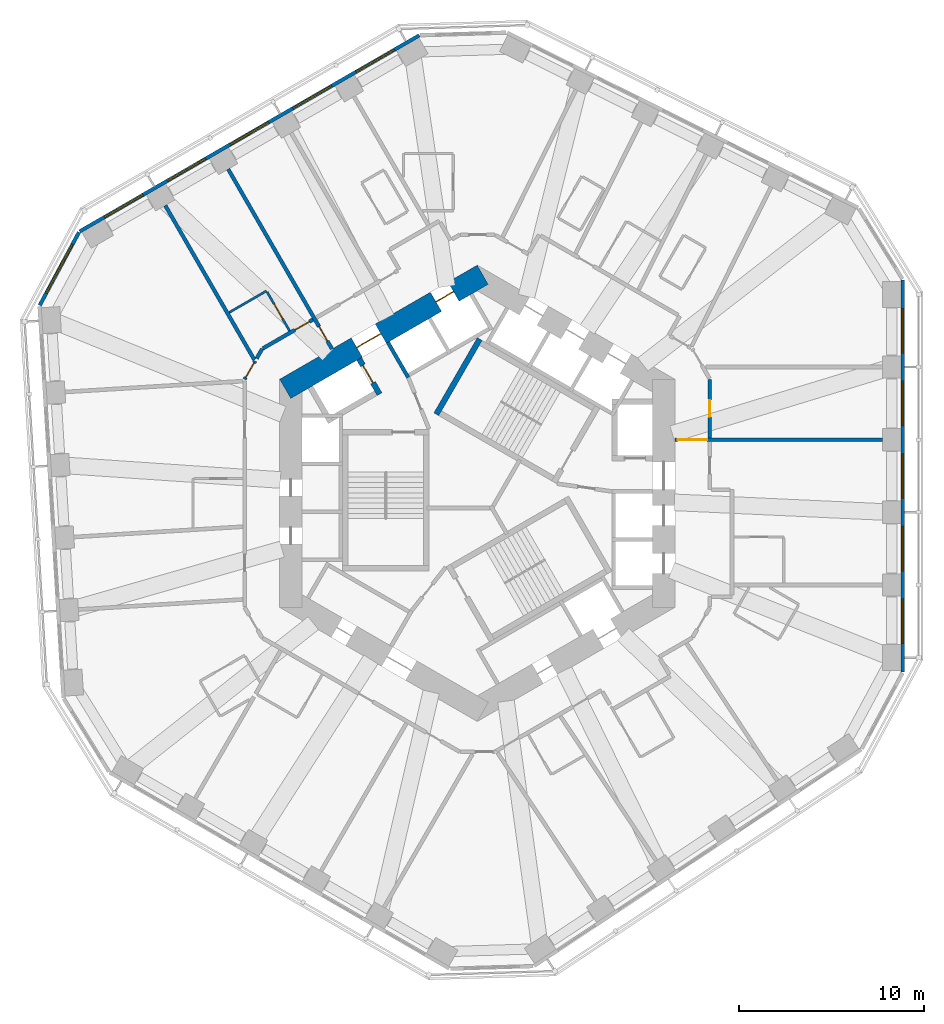
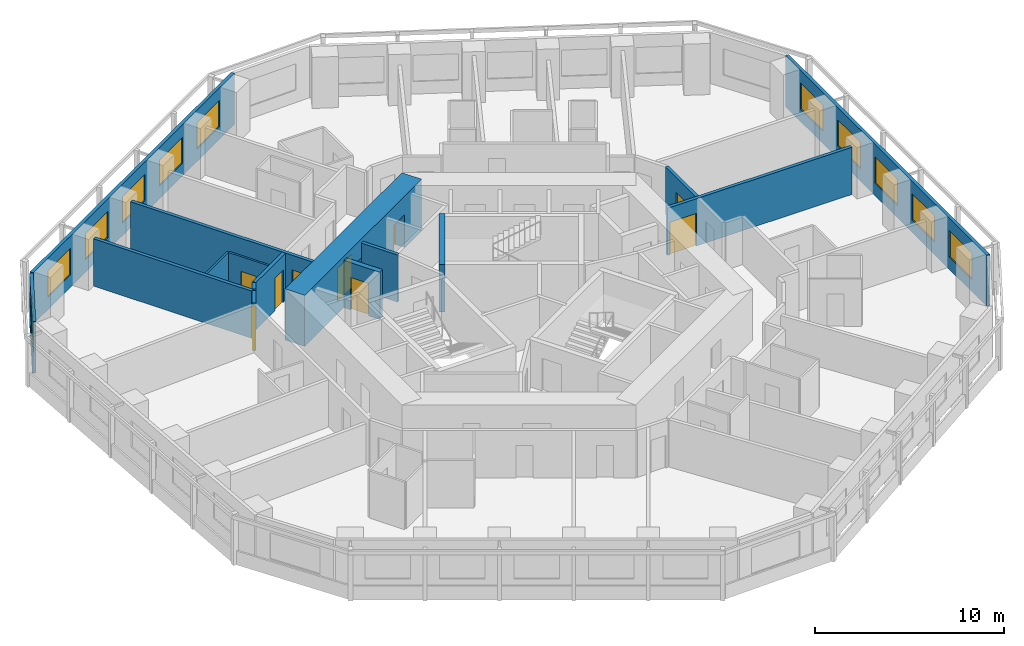
# One storey, part 7 of 12: 16 walls, 11 windows, 9 doors, 20 openings.
"""IFC4 building model written with IfcOpenShell, lengths in metres."""

from ifc_helpers import new_model, si_unit, direction, frame, frame_2d, origin, place, context, subcontext, project, spatial, rectangle, extrude, material, layer, layer_set, type_object, element, fill, save


model = new_model("IFC4")

# Units and contexts
model_context = context("Model", 3, precision=1e-05, world=origin(), true_north=direction((0.0, 1.0)))
body_context = subcontext(model_context, "Body", "Model", "MODEL_VIEW")
ifc_project = project(units=[si_unit("LENGTHUNIT", "METRE"), si_unit("AREAUNIT", "SQUARE_METRE"), si_unit("VOLUMEUNIT", "CUBIC_METRE"), si_unit("PLANEANGLEUNIT", "RADIAN"), si_unit("MASSUNIT", "GRAM", prefix="KILO")], contexts=[model_context])

# Site, building, storey
site_placement = place(None, origin())
site = spatial("IfcSite", under=ifc_project, at=site_placement, CompositionType="ELEMENT")
building_placement = place(site_placement, origin())
building = spatial("IfcBuilding", under=site, at=building_placement, Name="Vanh Sen Convention Tower", CompositionType="ELEMENT")
storey_placement = place(building_placement, frame((0.0, 0.0, 63.800048828125)))
storey = spatial("IfcBuildingStorey", under=building, at=storey_placement, Name="L13", CompositionType="ELEMENT", Elevation=63.800048828125)

# Wall
ifc_material_1 = material(Name="Moisture-resistant gypsum board on steel studs", Category="steel")
ifc_layer_1 = layer(ifc_material_1, 0.1201171875)
ifc_layer_set_1 = layer_set([ifc_layer_1], Name="Moisture-resistant gypsum board on steel studs")
wall_type_1 = type_object("IfcWallType", Name="Bathroom partition 120", PredefinedType="PARTITIONING", material=ifc_layer_set_1)
wall_1_placement = place(storey_placement, frame((-13.436279296875, 9.7939453125, 0.0), z_axis=(0.0, 0.0, 1.0), x_axis=(0.866053246676, 0.499951771596, 0.0)))
element("IfcWall", 1, at=wall_1_placement, inside=storey, type_object=wall_type_1, Name="Bathroom partition 120", PredefinedType="PARTITIONING", context=body_context, shape_type="SweptSolid", body=[
    extrude(rectangle(XDim=2.334716796875, YDim=0.1201171875, at=frame_2d((1.16748046875, 0.0))), origin(), (0.0, 0.0, 1.0), 3.050048828125),
])

# Wall, opening, door
wall_2_placement = place(storey_placement, frame((-11.384521484375, 10.9091796875, 0.0), z_axis=(0.0, 0.0, 1.0), x_axis=(0.500077547548, -0.865980627057, 0.0)))
wall_2 = element("IfcWall", 2, at=wall_2_placement, inside=storey, type_object=wall_type_1, Name="Bathroom partition 120", PredefinedType="PARTITIONING", context=body_context, shape_type="SweptSolid", body=[
    extrude(rectangle(XDim=2.43994140625, YDim=0.1201171875, at=frame_2d((1.219970703125, 0.0))), origin(), (0.0, 0.0, 1.0), 3.050048828125),
])
opening_1_placement = place(wall_2_placement, frame((0.77001953125, 0.0, 0.0)))
opening_1 = element("IfcOpeningElement", 3, at=opening_1_placement, cuts=wall_2, Name="Opening D13117", PredefinedType="OPENING", context=body_context, shape_type="SweptSolid", body=[
    extrude(rectangle(XDim=0.89990234375, YDim=2.10009765625, at=frame_2d((0.449951171875, 1.050048828125))), frame((0.0, 0.070068359375, 0.0), z_axis=(0.0, -1.0, 0.0), x_axis=(1.0, 0.0, 0.0)), (0.0, 0.0, 1.0), 0.14013671875),
])
ifc_material_2 = material(Name="Laminate door in steel frame", Category="steel")
door_type_1 = type_object("IfcDoorType", Name="En-suite door 900", OperationType="SINGLE_SWING_LEFT", PredefinedType="DOOR", material=ifc_material_2)
door_1_placement = place(opening_1_placement, origin())
door_1 = element("IfcDoor", 4, at=door_1_placement, inside=storey, type_object=door_type_1, Name="En-suite door D13117", OperationType="SINGLE_SWING_LEFT", OverallHeight=2.10009765625, OverallWidth=0.89990234375, PredefinedType="DOOR", context=body_context, shape_type="SweptSolid", body=[
    extrude(rectangle(XDim=0.89990234375, YDim=2.10009765625, at=frame_2d((0.449951171875, 1.050048828125))), frame((0.0, 0.02490234375, 0.0), z_axis=(0.0, -1.0, 0.0), x_axis=(1.0, 0.0, 0.0)), (0.0, 0.0, 1.0), 0.050048828125),
])
fill(opening_1, door_1)

# Wall, openings, doors
ifc_material_3 = material(Name="Concrete C80/95", Category="concrete")
ifc_layer_2 = layer(ifc_material_3, 1.199951171875)
ifc_layer_set_2 = layer_set([ifc_layer_2], Name="Concrete C80/95")
wall_type_2 = type_object("IfcWallType", Name="Core outer wall 1200 C80/95", PredefinedType="SHEAR", material=ifc_layer_set_2)
wall_3_placement = place(storey_placement, frame((0.300048828125, 11.835693359375, 0.0), z_axis=(0.0, 0.0, 1.0), x_axis=(-0.866021384402, -0.500006961711, 0.0)))
wall_3 = element("IfcWall", 5, at=wall_3_placement, inside=storey, type_object=wall_type_2, Name="Core wall face NW L13", PredefinedType="SHEAR", context=body_context, shape_type="SweptSolid", body=[
    extrude(rectangle(XDim=12.355224609375, YDim=1.199951171875, at=frame_2d((6.177734375, 0.0))), origin(), (0.0, 0.0, 1.0), 3.300048828125),
])
opening_2_placement = place(wall_3_placement, frame((6.377685546875, 0.0, 0.0)))
opening_2 = element("IfcOpeningElement", 6, at=opening_2_placement, cuts=wall_3, Name="Opening D13002", PredefinedType="OPENING", context=body_context, shape_type="SweptSolid", body=[
    extrude(rectangle(XDim=1.5, YDim=2.10009765625, at=frame_2d((0.75, 1.050048828125))), frame((0.0, 0.60986328125, 0.0), z_axis=(0.0, -1.0, 0.0), x_axis=(1.0, 0.0, 0.0)), (0.0, 0.0, 1.0), 1.219970703125),
])
opening_3_placement = place(wall_3_placement, frame((1.82763671875, 0.0, 0.0)))
opening_3 = element("IfcOpeningElement", 7, at=opening_3_placement, cuts=wall_3, Name="Opening LD-LR6", PredefinedType="OPENING", context=body_context, shape_type="SweptSolid", body=[
    extrude(rectangle(XDim=1.10009765625, YDim=2.10009765625, at=frame_2d((0.550048828125, 1.050048828125))), frame((0.0, 0.60986328125, 0.0), z_axis=(0.0, -1.0, 0.0), x_axis=(1.0, 0.0, 0.0)), (0.0, 0.0, 1.0), 1.219970703125),
])
ifc_material_4 = material(Name="Stainless steel", Category="steel")
door_type_2 = type_object("IfcDoorType", Name="Lift landing door 1100", OperationType="DOUBLE_DOOR_SLIDING", PredefinedType="DOOR", material=ifc_material_4)
door_2_placement = place(opening_3_placement, origin())
door_2 = element("IfcDoor", 8, at=door_2_placement, inside=storey, type_object=door_type_2, Name="Lift LR6 landing door LD-LR6", OperationType="DOUBLE_DOOR_SLIDING", OverallHeight=2.10009765625, OverallWidth=1.10009765625, PredefinedType="DOOR", context=body_context, shape_type="SweptSolid", body=[
    extrude(rectangle(XDim=1.10009765625, YDim=2.10009765625, at=frame_2d((0.550048828125, 1.050048828125))), frame((0.0, 0.02490234375, 0.0), z_axis=(0.0, -1.0, 0.0), x_axis=(1.0, 0.0, 0.0)), (0.0, 0.0, 1.0), 0.050048828125),
])
fill(opening_3, door_2)
ifc_material_5 = material(Name="Steel S355", Category="steel")
door_type_3 = type_object("IfcDoorType", Name="Stair lobby door 1500", OperationType="DOUBLE_DOOR_SINGLE_SWING", PredefinedType="DOOR", material=ifc_material_5)
door_3_placement = place(opening_2_placement, origin())
door_3 = element("IfcDoor", 9, at=door_3_placement, inside=storey, type_object=door_type_3, Name="Stair lobby door D13002", OperationType="DOUBLE_DOOR_SINGLE_SWING", OverallHeight=2.10009765625, OverallWidth=1.5, PredefinedType="DOOR", context=body_context, shape_type="SweptSolid", body=[
    extrude(rectangle(XDim=1.5, YDim=2.10009765625, at=frame_2d((0.75, 1.050048828125))), frame((0.0, 0.02490234375, 0.0), z_axis=(0.0, -1.0, 0.0), x_axis=(1.0, 0.0, 0.0)), (0.0, 0.0, 1.0), 0.050048828125),
])
fill(opening_2, door_3)

# Wall, opening, door
ifc_material_6 = material(Name="Gypsum board on steel studs with mineral wool", Category="steel")
ifc_layer_3 = layer(ifc_material_6, 0.199951171875)
ifc_layer_set_3 = layer_set([ifc_layer_3], Name="Gypsum board on steel studs with mineral wool")
wall_type_3 = type_object("IfcWallType", Name="Corridor partition wall 200", PredefinedType="PARTITIONING", material=ifc_layer_set_3)
wall_4_placement = place(storey_placement, frame((-12.031982421875, 7.16162109375, 0.0), z_axis=(0.0, 0.0, 1.0), x_axis=(-0.499951829968, -0.866053212979, 0.0)))
wall_4 = element("IfcWall", 10, at=wall_4_placement, inside=storey, type_object=wall_type_3, Name="Corridor partition wall 200", PredefinedType="PARTITIONING", context=body_context, shape_type="SweptSolid", body=[
    extrude(rectangle(XDim=1.13623046875, YDim=0.199951171875, at=frame_2d((0.568115234375, 0.0))), origin(), (0.0, 0.0, 1.0), 3.050048828125),
])
opening_4_placement = place(wall_4_placement, frame((0.1181640625, 0.0, 0.0)))
opening_4 = element("IfcOpeningElement", 11, at=opening_4_placement, cuts=wall_4, Name="Opening D13118", PredefinedType="OPENING", context=body_context, shape_type="SweptSolid", body=[
    extrude(rectangle(XDim=0.89990234375, YDim=2.10009765625, at=frame_2d((0.449951171875, 1.050048828125))), frame((0.0, 0.10986328125, 0.0), z_axis=(0.0, -1.0, 0.0), x_axis=(1.0, 0.0, 0.0)), (0.0, 0.0, 1.0), 0.219970703125),
])
ifc_material_7 = material(Name="Timber fire door in steel frame", Category="steel")
door_type_4 = type_object("IfcDoorType", Name="Floor room door 900", OperationType="SINGLE_SWING_LEFT", PredefinedType="DOOR", material=ifc_material_7)
door_4_placement = place(opening_4_placement, origin())
door_4 = element("IfcDoor", 12, at=door_4_placement, inside=storey, type_object=door_type_4, Name="Meeting and amenity room door D13118", OperationType="SINGLE_SWING_LEFT", OverallHeight=2.10009765625, OverallWidth=0.89990234375, PredefinedType="DOOR", context=body_context, shape_type="SweptSolid", body=[
    extrude(rectangle(XDim=0.89990234375, YDim=2.10009765625, at=frame_2d((0.449951171875, 1.050048828125))), frame((0.0, 0.02490234375, 0.0), z_axis=(0.0, -1.0, 0.0), x_axis=(1.0, 0.0, 0.0)), (0.0, 0.0, 1.0), 0.050048828125),
])
fill(opening_4, door_4)

# Wall
wall_5_placement = place(storey_placement, frame((-11.64990234375, 7.822998046875, 0.0), z_axis=(0.0, 0.0, 1.0), x_axis=(-0.50012165622, -0.865955154139, 0.0)))
element("IfcWall", 13, at=wall_5_placement, inside=storey, type_object=wall_type_3, Name="Corridor partition wall 200", PredefinedType="PARTITIONING", context=body_context, shape_type="SweptSolid", body=[
    extrude(rectangle(XDim=0.599853515625, YDim=0.199951171875, at=frame_2d((0.2998046875, 0.0))), origin(), (0.0, 0.0, 1.0), 3.050048828125),
])

# Wall, opening, door
wall_6_placement = place(storey_placement, frame((-8.902099609375, 9.40966796875, 0.0), z_axis=(0.0, 0.0, 1.0), x_axis=(-0.866014299198, -0.500019233215, 0.0)))
wall_6 = element("IfcWall", 14, at=wall_6_placement, inside=storey, type_object=wall_type_3, Name="Corridor partition wall 200", PredefinedType="PARTITIONING", context=body_context, shape_type="SweptSolid", body=[
    extrude(rectangle(XDim=3.13330078125, YDim=0.199951171875, at=frame_2d((1.566650390625, 0.0))), origin(), (0.0, 0.0, 1.0), 3.050048828125),
])
opening_5_placement = place(wall_6_placement, frame((0.22509765625, 0.0, 0.0)))
opening_5 = element("IfcOpeningElement", 15, at=opening_5_placement, cuts=wall_6, Name="Opening D13116", PredefinedType="OPENING", context=body_context, shape_type="SweptSolid", body=[
    extrude(rectangle(XDim=0.89990234375, YDim=2.10009765625, at=frame_2d((0.449951171875, 1.050048828125))), frame((0.0, 0.10986328125, 0.0), z_axis=(0.0, -1.0, 0.0), x_axis=(1.0, 0.0, 0.0)), (0.0, 0.0, 1.0), 0.219970703125),
])
door_type_5 = type_object("IfcDoorType", Name="Guest room door 900", OperationType="SINGLE_SWING_LEFT", PredefinedType="DOOR", material=ifc_material_7)
door_5_placement = place(opening_5_placement, origin())
door_5 = element("IfcDoor", 16, at=door_5_placement, inside=storey, type_object=door_type_5, Name="Hotel guest room door D13116", OperationType="SINGLE_SWING_LEFT", OverallHeight=2.10009765625, OverallWidth=0.89990234375, PredefinedType="DOOR", context=body_context, shape_type="SweptSolid", body=[
    extrude(rectangle(XDim=0.89990234375, YDim=2.10009765625, at=frame_2d((0.449951171875, 1.050048828125))), frame((0.0, 0.02490234375, 0.0), z_axis=(0.0, -1.0, 0.0), x_axis=(1.0, 0.0, 0.0)), (0.0, 0.0, 1.0), 0.050048828125),
])
fill(opening_5, door_5)

wall_7_placement = place(storey_placement, frame((12.60009765625, 3.00439453125, 0.0), z_axis=(0.0, 0.0, 1.0), x_axis=(0.0, 1.0, 0.0)))
wall_7 = element("IfcWall", 17, at=wall_7_placement, inside=storey, type_object=wall_type_3, Name="Corridor partition wall 200", PredefinedType="PARTITIONING", context=body_context, shape_type="SweptSolid", body=[
    extrude(rectangle(XDim=3.173095703125, YDim=0.199951171875, at=frame_2d((1.58642578125, 0.0))), origin(), (0.0, 0.0, 1.0), 3.050048828125),
])
opening_6_placement = place(wall_7_placement, frame((1.136474609375, 0.0, 0.0)))
opening_6 = element("IfcOpeningElement", 18, at=opening_6_placement, cuts=wall_7, Name="Opening D13103", PredefinedType="OPENING", context=body_context, shape_type="SweptSolid", body=[
    extrude(rectangle(XDim=0.89990234375, YDim=2.10009765625, at=frame_2d((0.449951171875, 1.050048828125))), frame((0.0, 0.10986328125, 0.0), z_axis=(0.0, -1.0, 0.0), x_axis=(1.0, 0.0, 0.0)), (0.0, 0.0, 1.0), 0.219970703125),
])
door_type_6 = type_object("IfcDoorType", Name="Floor service door 900", OperationType="SINGLE_SWING_LEFT", PredefinedType="DOOR", material=ifc_material_7)
door_6_placement = place(opening_6_placement, origin())
door_6 = element("IfcDoor", 19, at=door_6_placement, inside=storey, type_object=door_type_6, Name="Service room door D13103", OperationType="SINGLE_SWING_LEFT", OverallHeight=2.10009765625, OverallWidth=0.89990234375, PredefinedType="DOOR", context=body_context, shape_type="SweptSolid", body=[
    extrude(rectangle(XDim=0.89990234375, YDim=2.10009765625, at=frame_2d((0.449951171875, 1.050048828125))), frame((0.0, 0.02490234375, 0.0), z_axis=(0.0, -1.0, 0.0), x_axis=(1.0, 0.0, 0.0)), (0.0, 0.0, 1.0), 0.050048828125),
])
fill(opening_6, door_6)

# Wall, openings, windows
ifc_material_8 = material(Name="Insulated lightweight infill wall")
ifc_layer_4 = layer(ifc_material_8, 0.199951171875)
ifc_layer_set_4 = layer_set([ifc_layer_4], Name="Insulated lightweight infill wall")
wall_type_4 = type_object("IfcWallType", Name="External wall 200", PredefinedType="STANDARD", material=ifc_layer_set_4)
wall_8_placement = place(storey_placement, frame((23.050048828125, -9.6865234375, 0.0), z_axis=(0.0, 0.0, 1.0), x_axis=(0.0, 1.0, 0.0)))
wall_8 = element("IfcWall", 20, at=wall_8_placement, inside=storey, type_object=wall_type_4, Name="External wall E L13", PredefinedType="STANDARD", context=body_context, shape_type="SweptSolid", body=[
    extrude(rectangle(XDim=21.24609375, YDim=0.199951171875, at=frame_2d((10.623046875, 0.0))), origin(), (0.0, 0.0, 1.0), 3.300048828125),
])
opening_7_placement = place(wall_8_placement, frame((1.5546875, 0.0, 0.800048828125)))
opening_7 = element("IfcOpeningElement", 21, at=opening_7_placement, cuts=wall_8, Name="Opening WH1-E1", PredefinedType="OPENING", context=body_context, shape_type="SweptSolid", body=[
    extrude(rectangle(XDim=2.39990234375, YDim=1.699951171875, at=frame_2d((1.199951171875, 0.85009765625))), frame((0.0, 0.10986328125, 0.0), z_axis=(0.0, -1.0, 0.0), x_axis=(1.0, 0.0, 0.0)), (0.0, 0.0, 1.0), 0.219970703125),
])
opening_8_placement = place(wall_8_placement, frame((5.4892578125, 0.0, 0.800048828125)))
opening_8 = element("IfcOpeningElement", 22, at=opening_8_placement, cuts=wall_8, Name="Opening WH1-E2", PredefinedType="OPENING", context=body_context, shape_type="SweptSolid", body=[
    extrude(rectangle(XDim=2.39990234375, YDim=1.699951171875, at=frame_2d((1.199951171875, 0.85009765625))), frame((0.0, 0.10986328125, 0.0), z_axis=(0.0, -1.0, 0.0), x_axis=(1.0, 0.0, 0.0)), (0.0, 0.0, 1.0), 0.219970703125),
])
opening_9_placement = place(wall_8_placement, frame((9.423828125, 0.0, 0.800048828125)))
opening_9 = element("IfcOpeningElement", 23, at=opening_9_placement, cuts=wall_8, Name="Opening WH1-E3", PredefinedType="OPENING", context=body_context, shape_type="SweptSolid", body=[
    extrude(rectangle(XDim=2.39990234375, YDim=1.699951171875, at=frame_2d((1.199951171875, 0.85009765625))), frame((0.0, 0.10986328125, 0.0), z_axis=(0.0, -1.0, 0.0), x_axis=(1.0, 0.0, 0.0)), (0.0, 0.0, 1.0), 0.219970703125),
])
opening_10_placement = place(wall_8_placement, frame((13.3583984375, 0.0, 0.800048828125)))
opening_10 = element("IfcOpeningElement", 24, at=opening_10_placement, cuts=wall_8, Name="Opening WH1-E4", PredefinedType="OPENING", context=body_context, shape_type="SweptSolid", body=[
    extrude(rectangle(XDim=2.39990234375, YDim=1.699951171875, at=frame_2d((1.199951171875, 0.85009765625))), frame((0.0, 0.10986328125, 0.0), z_axis=(0.0, -1.0, 0.0), x_axis=(1.0, 0.0, 0.0)), (0.0, 0.0, 1.0), 0.219970703125),
])
opening_11_placement = place(wall_8_placement, frame((17.29296875, 0.0, 0.800048828125)))
opening_11 = element("IfcOpeningElement", 25, at=opening_11_placement, cuts=wall_8, Name="Opening WH1-E5", PredefinedType="OPENING", context=body_context, shape_type="SweptSolid", body=[
    extrude(rectangle(XDim=2.39990234375, YDim=1.699951171875, at=frame_2d((1.199951171875, 0.85009765625))), frame((0.0, 0.10986328125, 0.0), z_axis=(0.0, -1.0, 0.0), x_axis=(1.0, 0.0, 0.0)), (0.0, 0.0, 1.0), 0.219970703125),
])
ifc_material_9 = material(Name="Aluminium frame with clear low-emissivity glass", Category="aluminium")
window_type_1 = type_object("IfcWindowType", Name="Hotel window 2400 x 1700", PartitioningType="SINGLE_PANEL", PredefinedType="WINDOW", material=ifc_material_9)
window_1_placement = place(opening_7_placement, origin())
window_1 = element("IfcWindow", 26, at=window_1_placement, inside=storey, type_object=window_type_1, Name="Window WH1-E1", OverallHeight=1.699951171875, OverallWidth=2.39990234375, PartitioningType="SINGLE_PANEL", PredefinedType="WINDOW", context=body_context, shape_type="SweptSolid", body=[
    extrude(rectangle(XDim=2.39990234375, YDim=1.699951171875, at=frame_2d((1.199951171875, 0.85009765625))), frame((0.0, 0.030029296875, 0.0), z_axis=(0.0, -1.0, 0.0), x_axis=(1.0, 0.0, 0.0)), (0.0, 0.0, 1.0), 0.06005859375),
])
fill(opening_7, window_1)
window_2_placement = place(opening_8_placement, origin())
window_2 = element("IfcWindow", 27, at=window_2_placement, inside=storey, type_object=window_type_1, Name="Window WH1-E2", OverallHeight=1.699951171875, OverallWidth=2.39990234375, PartitioningType="SINGLE_PANEL", PredefinedType="WINDOW", context=body_context, shape_type="SweptSolid", body=[
    extrude(rectangle(XDim=2.39990234375, YDim=1.699951171875, at=frame_2d((1.199951171875, 0.85009765625))), frame((0.0, 0.030029296875, 0.0), z_axis=(0.0, -1.0, 0.0), x_axis=(1.0, 0.0, 0.0)), (0.0, 0.0, 1.0), 0.06005859375),
])
fill(opening_8, window_2)
window_3_placement = place(opening_9_placement, origin())
window_3 = element("IfcWindow", 28, at=window_3_placement, inside=storey, type_object=window_type_1, Name="Window WH1-E3", OverallHeight=1.699951171875, OverallWidth=2.39990234375, PartitioningType="SINGLE_PANEL", PredefinedType="WINDOW", context=body_context, shape_type="SweptSolid", body=[
    extrude(rectangle(XDim=2.39990234375, YDim=1.699951171875, at=frame_2d((1.199951171875, 0.85009765625))), frame((0.0, 0.030029296875, 0.0), z_axis=(0.0, -1.0, 0.0), x_axis=(1.0, 0.0, 0.0)), (0.0, 0.0, 1.0), 0.06005859375),
])
fill(opening_9, window_3)
window_4_placement = place(opening_10_placement, origin())
window_4 = element("IfcWindow", 29, at=window_4_placement, inside=storey, type_object=window_type_1, Name="Window WH1-E4", OverallHeight=1.699951171875, OverallWidth=2.39990234375, PartitioningType="SINGLE_PANEL", PredefinedType="WINDOW", context=body_context, shape_type="SweptSolid", body=[
    extrude(rectangle(XDim=2.39990234375, YDim=1.699951171875, at=frame_2d((1.199951171875, 0.85009765625))), frame((0.0, 0.030029296875, 0.0), z_axis=(0.0, -1.0, 0.0), x_axis=(1.0, 0.0, 0.0)), (0.0, 0.0, 1.0), 0.06005859375),
])
fill(opening_10, window_4)
window_5_placement = place(opening_11_placement, origin())
window_5 = element("IfcWindow", 30, at=window_5_placement, inside=storey, type_object=window_type_1, Name="Window WH1-E5", OverallHeight=1.699951171875, OverallWidth=2.39990234375, PartitioningType="SINGLE_PANEL", PredefinedType="WINDOW", context=body_context, shape_type="SweptSolid", body=[
    extrude(rectangle(XDim=2.39990234375, YDim=1.699951171875, at=frame_2d((1.199951171875, 0.85009765625))), frame((0.0, 0.030029296875, 0.0), z_axis=(0.0, -1.0, 0.0), x_axis=(1.0, 0.0, 0.0)), (0.0, 0.0, 1.0), 0.06005859375),
])
fill(opening_11, window_5)

wall_9_placement = place(storey_placement, frame((-3.135986328125, 24.80517578125, 0.0), z_axis=(0.0, 0.0, 1.0), x_axis=(-0.866028291626, -0.499994998079, 0.0)))
wall_9 = element("IfcWall", 31, at=wall_9_placement, inside=storey, type_object=wall_type_4, Name="External wall NW L13", PredefinedType="STANDARD", context=body_context, shape_type="SweptSolid", body=[
    extrude(rectangle(XDim=21.246337890625, YDim=0.199951171875, at=frame_2d((10.623046875, 0.0))), origin(), (0.0, 0.0, 1.0), 3.300048828125),
])
opening_12_placement = place(wall_9_placement, frame((1.5546875, 0.0, 0.800048828125)))
opening_12 = element("IfcOpeningElement", 32, at=opening_12_placement, cuts=wall_9, Name="Opening WH1-NW1", PredefinedType="OPENING", context=body_context, shape_type="SweptSolid", body=[
    extrude(rectangle(XDim=2.39990234375, YDim=1.699951171875, at=frame_2d((1.199951171875, 0.85009765625))), frame((0.0, 0.10986328125, 0.0), z_axis=(0.0, -1.0, 0.0), x_axis=(1.0, 0.0, 0.0)), (0.0, 0.0, 1.0), 0.219970703125),
])
opening_13_placement = place(wall_9_placement, frame((5.4892578125, 0.0, 0.800048828125)))
opening_13 = element("IfcOpeningElement", 33, at=opening_13_placement, cuts=wall_9, Name="Opening WH1-NW2", PredefinedType="OPENING", context=body_context, shape_type="SweptSolid", body=[
    extrude(rectangle(XDim=2.39990234375, YDim=1.699951171875, at=frame_2d((1.199951171875, 0.85009765625))), frame((0.0, 0.10986328125, 0.0), z_axis=(0.0, -1.0, 0.0), x_axis=(1.0, 0.0, 0.0)), (0.0, 0.0, 1.0), 0.219970703125),
])
opening_14_placement = place(wall_9_placement, frame((9.423828125, 0.0, 0.800048828125)))
opening_14 = element("IfcOpeningElement", 34, at=opening_14_placement, cuts=wall_9, Name="Opening WH1-NW3", PredefinedType="OPENING", context=body_context, shape_type="SweptSolid", body=[
    extrude(rectangle(XDim=2.39990234375, YDim=1.699951171875, at=frame_2d((1.199951171875, 0.85009765625))), frame((0.0, 0.10986328125, 0.0), z_axis=(0.0, -1.0, 0.0), x_axis=(1.0, 0.0, 0.0)), (0.0, 0.0, 1.0), 0.219970703125),
])
opening_15_placement = place(wall_9_placement, frame((13.3583984375, 0.0, 0.800048828125)))
opening_15 = element("IfcOpeningElement", 35, at=opening_15_placement, cuts=wall_9, Name="Opening WH1-NW4", PredefinedType="OPENING", context=body_context, shape_type="SweptSolid", body=[
    extrude(rectangle(XDim=2.39990234375, YDim=1.699951171875, at=frame_2d((1.199951171875, 0.85009765625))), frame((0.0, 0.10986328125, 0.0), z_axis=(0.0, -1.0, 0.0), x_axis=(1.0, 0.0, 0.0)), (0.0, 0.0, 1.0), 0.219970703125),
])
opening_16_placement = place(wall_9_placement, frame((17.293212890625, 0.0, 0.800048828125)))
opening_16 = element("IfcOpeningElement", 36, at=opening_16_placement, cuts=wall_9, Name="Opening WH1-NW5", PredefinedType="OPENING", context=body_context, shape_type="SweptSolid", body=[
    extrude(rectangle(XDim=2.39990234375, YDim=1.699951171875, at=frame_2d((1.199951171875, 0.85009765625))), frame((0.0, 0.10986328125, 0.0), z_axis=(0.0, -1.0, 0.0), x_axis=(1.0, 0.0, 0.0)), (0.0, 0.0, 1.0), 0.219970703125),
])
window_6_placement = place(opening_12_placement, origin())
window_6 = element("IfcWindow", 37, at=window_6_placement, inside=storey, type_object=window_type_1, Name="Window WH1-NW1", OverallHeight=1.699951171875, OverallWidth=2.39990234375, PartitioningType="SINGLE_PANEL", PredefinedType="WINDOW", context=body_context, shape_type="SweptSolid", body=[
    extrude(rectangle(XDim=2.39990234375, YDim=1.699951171875, at=frame_2d((1.199951171875, 0.85009765625))), frame((0.0, 0.030029296875, 0.0), z_axis=(0.0, -1.0, 0.0), x_axis=(1.0, 0.0, 0.0)), (0.0, 0.0, 1.0), 0.06005859375),
])
fill(opening_12, window_6)
window_7_placement = place(opening_13_placement, origin())
window_7 = element("IfcWindow", 38, at=window_7_placement, inside=storey, type_object=window_type_1, Name="Window WH1-NW2", OverallHeight=1.699951171875, OverallWidth=2.39990234375, PartitioningType="SINGLE_PANEL", PredefinedType="WINDOW", context=body_context, shape_type="SweptSolid", body=[
    extrude(rectangle(XDim=2.39990234375, YDim=1.699951171875, at=frame_2d((1.199951171875, 0.85009765625))), frame((0.0, 0.030029296875, 0.0), z_axis=(0.0, -1.0, 0.0), x_axis=(1.0, 0.0, 0.0)), (0.0, 0.0, 1.0), 0.06005859375),
])
fill(opening_13, window_7)
window_8_placement = place(opening_14_placement, origin())
window_8 = element("IfcWindow", 39, at=window_8_placement, inside=storey, type_object=window_type_1, Name="Window WH1-NW3", OverallHeight=1.699951171875, OverallWidth=2.39990234375, PartitioningType="SINGLE_PANEL", PredefinedType="WINDOW", context=body_context, shape_type="SweptSolid", body=[
    extrude(rectangle(XDim=2.39990234375, YDim=1.699951171875, at=frame_2d((1.199951171875, 0.85009765625))), frame((0.0, 0.030029296875, 0.0), z_axis=(0.0, -1.0, 0.0), x_axis=(1.0, 0.0, 0.0)), (0.0, 0.0, 1.0), 0.06005859375),
])
fill(opening_14, window_8)
window_9_placement = place(opening_15_placement, origin())
window_9 = element("IfcWindow", 40, at=window_9_placement, inside=storey, type_object=window_type_1, Name="Window WH1-NW4", OverallHeight=1.699951171875, OverallWidth=2.39990234375, PartitioningType="SINGLE_PANEL", PredefinedType="WINDOW", context=body_context, shape_type="SweptSolid", body=[
    extrude(rectangle(XDim=2.39990234375, YDim=1.699951171875, at=frame_2d((1.199951171875, 0.85009765625))), frame((0.0, 0.030029296875, 0.0), z_axis=(0.0, -1.0, 0.0), x_axis=(1.0, 0.0, 0.0)), (0.0, 0.0, 1.0), 0.06005859375),
])
fill(opening_15, window_9)
window_10_placement = place(opening_16_placement, origin())
window_10 = element("IfcWindow", 41, at=window_10_placement, inside=storey, type_object=window_type_1, Name="Window WH1-NW5", OverallHeight=1.699951171875, OverallWidth=2.39990234375, PartitioningType="SINGLE_PANEL", PredefinedType="WINDOW", context=body_context, shape_type="SweptSolid", body=[
    extrude(rectangle(XDim=2.39990234375, YDim=1.699951171875, at=frame_2d((1.199951171875, 0.85009765625))), frame((0.0, 0.030029296875, 0.0), z_axis=(0.0, -1.0, 0.0), x_axis=(1.0, 0.0, 0.0)), (0.0, 0.0, 1.0), 0.06005859375),
])
fill(opening_16, window_10)

# Wall, opening, window
wall_10_placement = place(storey_placement, frame((-21.573974609375, 14.142822265625, 0.0), z_axis=(0.0, 0.0, 1.0), x_axis=(-0.473292949472, -0.880905093628, 0.0)))
wall_10 = element("IfcWall", 42, at=wall_10_placement, inside=storey, type_object=wall_type_4, Name="External wall CH3 L13", PredefinedType="STANDARD", context=body_context, shape_type="SweptSolid", body=[
    extrude(rectangle(XDim=4.493896484375, YDim=0.199951171875, at=frame_2d((2.2470703125, 0.0))), origin(), (0.0, 0.0, 1.0), 3.300048828125),
])
opening_17_placement = place(wall_10_placement, frame((0.746826171875, 0.0, 0.800048828125)))
opening_17 = element("IfcOpeningElement", 43, at=opening_17_placement, cuts=wall_10, Name="Opening WH2-CH31", PredefinedType="OPENING", context=body_context, shape_type="SweptSolid", body=[
    extrude(rectangle(XDim=3.0, YDim=1.699951171875, at=frame_2d((1.5, 0.85009765625))), frame((0.0, 0.10986328125, 0.0), z_axis=(0.0, -1.0, 0.0), x_axis=(1.0, 0.0, 0.0)), (0.0, 0.0, 1.0), 0.219970703125),
])
window_type_2 = type_object("IfcWindowType", Name="Hotel window 3000 x 1700", PartitioningType="SINGLE_PANEL", PredefinedType="WINDOW", material=ifc_material_9)
window_11_placement = place(opening_17_placement, origin())
window_11 = element("IfcWindow", 44, at=window_11_placement, inside=storey, type_object=window_type_2, Name="Window WH2-CH31", OverallHeight=1.699951171875, OverallWidth=3.0, PartitioningType="SINGLE_PANEL", PredefinedType="WINDOW", context=body_context, shape_type="SweptSolid", body=[
    extrude(rectangle(XDim=3.0, YDim=1.699951171875, at=frame_2d((1.5, 0.85009765625))), frame((0.0, 0.030029296875, 0.0), z_axis=(0.0, -1.0, 0.0), x_axis=(1.0, 0.0, 0.0)), (0.0, 0.0, 1.0), 0.06005859375),
])
fill(opening_17, window_11)

# Wall, opening, door
ifc_material_10 = material(Name="Concrete C60/75", Category="concrete")
ifc_layer_5 = layer(ifc_material_10, 0.300048828125)
ifc_layer_set_5 = layer_set([ifc_layer_5], Name="Concrete C60/75")
wall_type_5 = type_object("IfcWallType", Name="Fire-fighting lift shaft wall 300", PredefinedType="SHEAR", material=ifc_layer_set_5)
wall_11_placement = place(storey_placement, frame((-5.29541015625, 5.3720703125, 0.0), z_axis=(0.0, 0.0, 1.0), x_axis=(-0.500077893725, 0.86598042715, 0.0)))
wall_11 = element("IfcWall", 45, at=wall_11_placement, inside=storey, type_object=wall_type_5, Name="Fire-fighting lift shaft wall L13", PredefinedType="SHEAR", context=body_context, shape_type="SweptSolid", body=[
    extrude(rectangle(XDim=2.199951171875, YDim=0.300048828125, at=frame_2d((1.10009765625, 0.0))), origin(), (0.0, 0.0, 1.0), 3.050048828125),
])
opening_18_placement = place(wall_11_placement, frame((0.699951171875, 0.0, 0.0)))
opening_18 = element("IfcOpeningElement", 46, at=opening_18_placement, cuts=wall_11, Name="Opening LD-FF2", PredefinedType="OPENING", context=body_context, shape_type="SweptSolid", body=[
    extrude(rectangle(XDim=1.10009765625, YDim=2.10009765625, at=frame_2d((0.550048828125, 1.050048828125))), frame((0.0, 0.159912109375, 0.0), z_axis=(0.0, -1.0, 0.0), x_axis=(1.0, 0.0, 0.0)), (0.0, 0.0, 1.0), 0.320068359375),
])
door_type_7 = type_object("IfcDoorType", Name="Fire-fighting lift landing door 1100", OperationType="DOUBLE_DOOR_SLIDING", PredefinedType="DOOR", material=ifc_material_4)
door_7_placement = place(opening_18_placement, origin())
door_7 = element("IfcDoor", 47, at=door_7_placement, inside=storey, type_object=door_type_7, Name="Lift FF2 landing door LD-FF2", OperationType="DOUBLE_DOOR_SLIDING", OverallHeight=2.10009765625, OverallWidth=1.10009765625, PredefinedType="DOOR", context=body_context, shape_type="SweptSolid", body=[
    extrude(rectangle(XDim=1.10009765625, YDim=2.10009765625, at=frame_2d((0.550048828125, 1.050048828125))), frame((0.0, 0.02490234375, 0.0), z_axis=(0.0, -1.0, 0.0), x_axis=(1.0, 0.0, 0.0)), (0.0, 0.0, 1.0), 0.050048828125),
])
fill(opening_18, door_7)

# Walls
ifc_layer_6 = layer(ifc_material_6, 0.199951171875)
ifc_layer_set_6 = layer_set([ifc_layer_6], Name="Gypsum board on steel studs with mineral wool")
wall_type_6 = type_object("IfcWallType", Name="Hotel party wall 200", PredefinedType="PARTITIONING", material=ifc_layer_set_6)
wall_12_placement = place(storey_placement, frame((-16.89794921875, 15.589599609375, 0.0), z_axis=(0.0, 0.0, 1.0), x_axis=(0.499994742786, -0.866028439017, 0.0)))
element("IfcWall", 48, at=wall_12_placement, inside=storey, type_object=wall_type_6, Name="Hotel party wall 200", PredefinedType="PARTITIONING", context=body_context, shape_type="SweptSolid", body=[
    extrude(rectangle(XDim=9.64990234375, YDim=0.199951171875, at=frame_2d((4.824951171875, 0.0))), origin(), (0.0, 0.0, 1.0), 3.050048828125),
])
ifc_material_11 = material(Name="Concrete C40/50", Category="concrete")
ifc_layer_7 = layer(ifc_material_11, 0.199951171875)
ifc_layer_set_7 = layer_set([ifc_layer_7], Name="Concrete C40/50")
wall_type_7 = type_object("IfcWallType", Name="Lift shaft wall 200", PredefinedType="PARTITIONING", material=ifc_layer_set_7)
wall_13_placement = place(storey_placement, frame((-3.736572265625, 6.27197265625, 0.0), z_axis=(0.0, 0.0, 1.0), x_axis=(-0.50002983664, 0.866008176907, 0.0)))
element("IfcWall", 49, at=wall_13_placement, inside=storey, type_object=wall_type_7, Name="Lift shaft wall L13", PredefinedType="PARTITIONING", context=body_context, shape_type="SweptSolid", body=[
    extrude(rectangle(XDim=2.199951171875, YDim=0.199951171875, at=frame_2d((1.10009765625, 0.0))), origin(), (0.0, 0.0, 1.0), 3.050048828125),
])
ifc_layer_8 = layer(ifc_material_10, 0.300048828125)
ifc_layer_set_8 = layer_set([ifc_layer_8], Name="Concrete C60/75")
wall_type_8 = type_object("IfcWallType", Name="Stair wall 300", PredefinedType="SHEAR", material=ifc_layer_set_8)
wall_14_placement = place(storey_placement, frame((-2.216064453125, 4.28173828125, 0.0), z_axis=(0.0, 0.0, 1.0), x_axis=(0.499977259774, 0.866038532462, 0.0)))
element("IfcWall", 50, at=wall_14_placement, inside=storey, type_object=wall_type_8, Name="Stair wall L13", PredefinedType="SHEAR", context=body_context, shape_type="SweptSolid", body=[
    extrude(rectangle(XDim=4.699951171875, YDim=0.300048828125, at=frame_2d((2.35009765625, 0.0))), origin(), (0.0, 0.0, 1.0), 3.050048828125),
])

# Wall, opening, door
ifc_material_12 = material(Name="Concrete C20/25", Category="concrete")
ifc_layer_9 = layer(ifc_material_12, 0.199951171875)
ifc_layer_set_9 = layer_set([ifc_layer_9], Name="Concrete C20/25")
wall_type_9 = type_object("IfcWallType", Name="Sub-compartment wall 200", PredefinedType="PARTITIONING", material=ifc_layer_set_9)
wall_15_placement = place(storey_placement, frame((-7.865478515625, 7.814208984375, 0.0), z_axis=(0.0, 0.0, 1.0), x_axis=(-0.500004234368, 0.866022959057, 0.0)))
wall_15 = element("IfcWall", 51, at=wall_15_placement, inside=storey, type_object=wall_type_9, Name="Sub-compartment wall 200", PredefinedType="PARTITIONING", context=body_context, shape_type="SweptSolid", body=[
    extrude(rectangle(XDim=11.25, YDim=0.199951171875, at=frame_2d((5.625, 0.0))), origin(), (0.0, 0.0, 1.0), 3.050048828125),
])
opening_19_placement = place(wall_15_placement, frame((0.5, 0.0, 0.0)))
opening_19 = element("IfcOpeningElement", 52, at=opening_19_placement, cuts=wall_15, Name="Opening D13134", PredefinedType="OPENING", context=body_context, shape_type="SweptSolid", body=[
    extrude(rectangle(XDim=0.89990234375, YDim=2.10009765625, at=frame_2d((0.449951171875, 1.050048828125))), frame((0.0, 0.10986328125, 0.0), z_axis=(0.0, -1.0, 0.0), x_axis=(1.0, 0.0, 0.0)), (0.0, 0.0, 1.0), 0.219970703125),
])
ifc_material_13 = material(Name="Steel S355", Category="steel")
door_type_8 = type_object("IfcDoorType", Name="Corridor fire door 900", OperationType="SINGLE_SWING_LEFT", PredefinedType="DOOR", material=ifc_material_13)
door_8_placement = place(opening_19_placement, origin())
door_8 = element("IfcDoor", 53, at=door_8_placement, inside=storey, type_object=door_type_8, Name="Sub-compartment door D13134", OperationType="SINGLE_SWING_LEFT", OverallHeight=2.10009765625, OverallWidth=0.89990234375, PredefinedType="DOOR", context=body_context, shape_type="SweptSolid", body=[
    extrude(rectangle(XDim=0.89990234375, YDim=2.10009765625, at=frame_2d((0.449951171875, 1.050048828125))), frame((0.0, 0.02490234375, 0.0), z_axis=(0.0, -1.0, 0.0), x_axis=(1.0, 0.0, 0.0)), (0.0, 0.0, 1.0), 0.050048828125),
])
fill(opening_19, door_8)

wall_16_placement = place(storey_placement, frame((21.949951171875, 2.904541015625, 0.0), z_axis=(0.0, 0.0, 1.0), x_axis=(-1.0, 0.0, 0.0)))
wall_16 = element("IfcWall", 54, at=wall_16_placement, inside=storey, type_object=wall_type_9, Name="Sub-compartment wall 200", PredefinedType="PARTITIONING", context=body_context, shape_type="SweptSolid", body=[
    extrude(rectangle(XDim=11.25, YDim=0.199951171875, at=frame_2d((5.625, 0.0))), origin(), (0.0, 0.0, 1.0), 3.050048828125),
])
opening_20_placement = place(wall_16_placement, frame((9.5, 0.0, 0.0)))
opening_20 = element("IfcOpeningElement", 55, at=opening_20_placement, cuts=wall_16, Name="Opening D13135", PredefinedType="OPENING", context=body_context, shape_type="SweptSolid", body=[
    extrude(rectangle(XDim=1.60009765625, YDim=2.10009765625, at=frame_2d((0.800048828125, 1.050048828125))), frame((0.0, 0.10986328125, 0.0), z_axis=(0.0, -1.0, 0.0), x_axis=(1.0, 0.0, 0.0)), (0.0, 0.0, 1.0), 0.219970703125),
])
door_type_9 = type_object("IfcDoorType", Name="Corridor fire door 1600", OperationType="DOUBLE_DOOR_SINGLE_SWING", PredefinedType="DOOR", material=ifc_material_13)
door_9_placement = place(opening_20_placement, origin())
door_9 = element("IfcDoor", 56, at=door_9_placement, inside=storey, type_object=door_type_9, Name="Sub-compartment door D13135", OperationType="DOUBLE_DOOR_SINGLE_SWING", OverallHeight=2.10009765625, OverallWidth=1.60009765625, PredefinedType="DOOR", context=body_context, shape_type="SweptSolid", body=[
    extrude(rectangle(XDim=1.60009765625, YDim=2.10009765625, at=frame_2d((0.800048828125, 1.050048828125))), frame((0.0, 0.02490234375, 0.0), z_axis=(0.0, -1.0, 0.0), x_axis=(1.0, 0.0, 0.0)), (0.0, 0.0, 1.0), 0.050048828125),
])
fill(opening_20, door_9)

save(model, "model.ifc")
